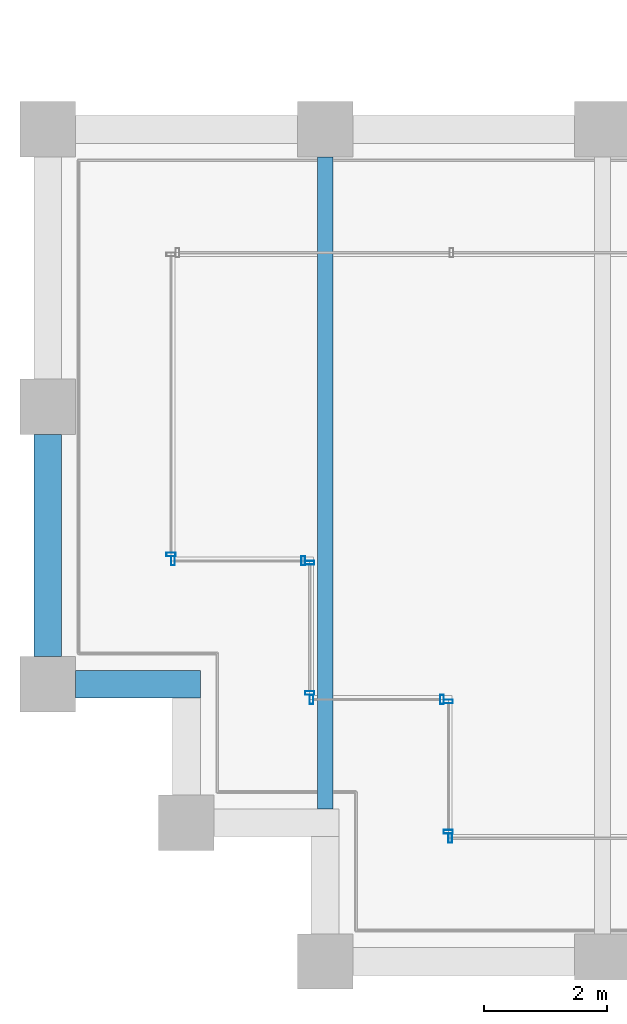
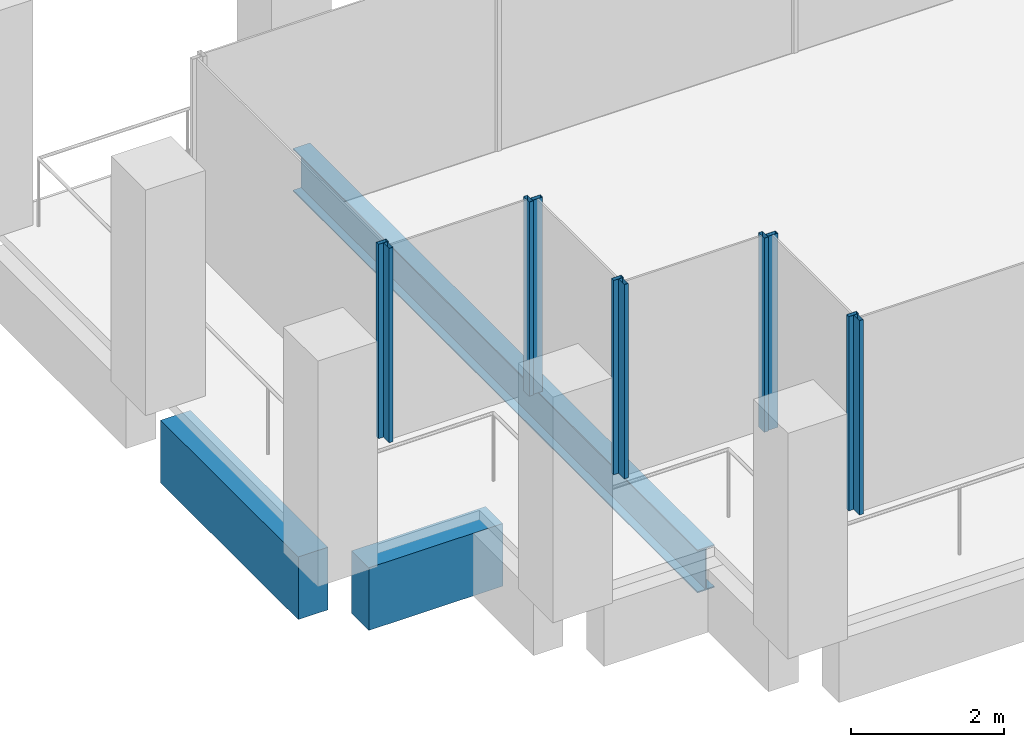
# One storey, part 2 of 40: 10 members, 3 beams, 6 elements without a shape of their own.
"""IFC4 building model written with IfcOpenShell, lengths in metres."""

from ifc_helpers import new_model, si_unit, direction, frame, origin, origin_2d, place, context, subcontext, project, spatial, rectangle, hollow_rectangle, i_section, extrude, material, material_profile, profile_set, type_object, element, aggregate, save


model = new_model("IFC4")

# Units and contexts
model_context = context("Model", 3, precision=1e-05, world=origin(), true_north=direction((0.0, 1.0)))
body_context = subcontext(model_context, "Body", "Model", "MODEL_VIEW")
ifc_project = project(units=[si_unit("LENGTHUNIT", "METRE"), si_unit("AREAUNIT", "SQUARE_METRE"), si_unit("VOLUMEUNIT", "CUBIC_METRE"), si_unit("PLANEANGLEUNIT", "RADIAN"), si_unit("MASSUNIT", "GRAM", prefix="KILO")], contexts=[model_context])

# Site, building, storey
site_placement = place(None, origin())
site = spatial("IfcSite", under=ifc_project, at=site_placement, CompositionType="ELEMENT")
building_placement = place(site_placement, origin())
building = spatial("IfcBuilding", under=site, at=building_placement, Name="Altepetl Exchange Towers", CompositionType="ELEMENT")
storey_placement = place(building_placement, frame((0.0, 0.0, 172.60009765625)))
storey = spatial("IfcBuildingStorey", under=building, at=storey_placement, Name="L43", CompositionType="ELEMENT", Elevation=172.60009765625)

# Beam
ifc_material_1 = material(Name="Steel S355", Category="steel")
ifc_material_profile_1 = material_profile(ifc_material_1, i_section(OverallWidth=0.25390625, OverallDepth=0.68408203125, WebThickness=0.012451171875, FlangeThickness=0.018798828125, at=origin_2d()), Name="W27X94")
ifc_profile_set_1 = profile_set([ifc_material_profile_1], Name="Steel S355")
beam_type_1 = type_object("IfcBeamType", Name="Floor beam W27X94", PredefinedType="BEAM", material=ifc_profile_set_1)
beam_1_placement = place(storey_placement, frame((31.5, 29.47509765625, -0.4921875), z_axis=(0.0, 1.0, 0.0), x_axis=(-1.0, 0.0, 0.0)))
element("IfcBeam", 1, at=beam_1_placement, inside=storey, type_object=beam_type_1, Name="bm:A:L43:012", PredefinedType="BEAM", context=body_context, shape_type="SweptSolid", body=[
    extrude(i_section(OverallWidth=0.25390625, OverallDepth=0.68408203125, WebThickness=0.012451171875, FlangeThickness=0.018798828125, at=origin_2d()), origin(), (0.0, 0.0, 1.0), 10.574951171875),
])

# Curtain wall, member
ifc_material_2 = material(Name="Aluminium 6063-T6 glazing", Category="aluminium")
curtain_wall_type = type_object("IfcCurtainWallType", Name="Loggia glazing system", PredefinedType="NOTDEFINED", material=ifc_material_2)
curtain_wall_1_placement = place(storey_placement, origin())
curtain_wall_1 = element("IfcCurtainWall", 2, at=curtain_wall_1_placement, inside=storey, type_object=curtain_wall_type, Name="CW1 run", PredefinedType="NOTDEFINED")
ifc_material_3 = material(Name="Aluminium 6063-T6", Category="aluminium")
ifc_material_profile_2 = material_profile(ifc_material_3, hollow_rectangle(XDim=0.06005859375, YDim=0.14990234375, WallThickness=0.0029296875, at=origin_2d()), Name="Mullion 60x150 aluminium")
ifc_profile_set_2 = profile_set([ifc_material_profile_2], Name="Aluminium 6063-T6")
member_type = type_object("IfcMemberType", Name="Mullion 60x150 aluminium", PredefinedType="MULLION", material=ifc_profile_set_2)
member_1_placement = place(storey_placement, frame((29.0, 33.60498046875, 0.0), z_axis=(0.0, 0.0, 1.0), x_axis=(0.0, -1.0, 0.0)))
member_1 = element("IfcMember", 3, at=member_1_placement, type_object=member_type, Name="MU1 mullion", PredefinedType="MULLION", context=body_context, shape_type="SweptSolid", body=[
    extrude(hollow_rectangle(XDim=0.06005859375, YDim=0.14990234375, WallThickness=0.0029296875, at=origin_2d()), origin(), (0.0, 0.0, 1.0), 3.099853515625),
])
aggregate(curtain_wall_1, [member_1])

# Curtain wall, members
curtain_wall_2_placement = place(storey_placement, origin())
curtain_wall_2 = element("IfcCurtainWall", 4, at=curtain_wall_2_placement, inside=storey, type_object=curtain_wall_type, Name="CW1 run", PredefinedType="NOTDEFINED")
member_2_placement = place(storey_placement, frame((29.030029296875, 33.5, 0.0)))
member_2 = element("IfcMember", 5, at=member_2_placement, type_object=member_type, Name="MU1 mullion", PredefinedType="MULLION", context=body_context, shape_type="SweptSolid", body=[
    extrude(hollow_rectangle(XDim=0.06005859375, YDim=0.14990234375, WallThickness=0.0029296875, at=origin_2d()), origin(), (0.0, 0.0, 1.0), 3.099853515625),
])
member_3_placement = place(storey_placement, frame((31.14501953125, 33.5, 0.0)))
member_3 = element("IfcMember", 6, at=member_3_placement, type_object=member_type, Name="MU1 mullion", PredefinedType="MULLION", context=body_context, shape_type="SweptSolid", body=[
    extrude(hollow_rectangle(XDim=0.06005859375, YDim=0.14990234375, WallThickness=0.0029296875, at=origin_2d()), origin(), (0.0, 0.0, 1.0), 3.099853515625),
])
aggregate(curtain_wall_2, [member_2, member_3])

curtain_wall_3_placement = place(storey_placement, origin())
curtain_wall_3 = element("IfcCurtainWall", 7, at=curtain_wall_3_placement, inside=storey, type_object=curtain_wall_type, Name="CW1 run", PredefinedType="NOTDEFINED")
member_4_placement = place(storey_placement, frame((31.25, 33.469970703125, 0.0), z_axis=(0.0, 0.0, 1.0), x_axis=(0.0, -1.0, 0.0)))
member_4 = element("IfcMember", 8, at=member_4_placement, type_object=member_type, Name="MU1 mullion", PredefinedType="MULLION", context=body_context, shape_type="SweptSolid", body=[
    extrude(hollow_rectangle(XDim=0.06005859375, YDim=0.14990234375, WallThickness=0.0029296875, at=origin_2d()), origin(), (0.0, 0.0, 1.0), 3.099853515625),
])
member_5_placement = place(storey_placement, frame((31.25, 31.35498046875, 0.0), z_axis=(0.0, 0.0, 1.0), x_axis=(0.0, -1.0, 0.0)))
member_5 = element("IfcMember", 9, at=member_5_placement, type_object=member_type, Name="MU1 mullion", PredefinedType="MULLION", context=body_context, shape_type="SweptSolid", body=[
    extrude(hollow_rectangle(XDim=0.06005859375, YDim=0.14990234375, WallThickness=0.0029296875, at=origin_2d()), origin(), (0.0, 0.0, 1.0), 3.099853515625),
])
aggregate(curtain_wall_3, [member_4, member_5])

curtain_wall_4_placement = place(storey_placement, origin())
curtain_wall_4 = element("IfcCurtainWall", 10, at=curtain_wall_4_placement, inside=storey, type_object=curtain_wall_type, Name="CW1 run", PredefinedType="NOTDEFINED")
member_6_placement = place(storey_placement, frame((31.280029296875, 31.25, 0.0)))
member_6 = element("IfcMember", 11, at=member_6_placement, type_object=member_type, Name="MU1 mullion", PredefinedType="MULLION", context=body_context, shape_type="SweptSolid", body=[
    extrude(hollow_rectangle(XDim=0.06005859375, YDim=0.14990234375, WallThickness=0.0029296875, at=origin_2d()), origin(), (0.0, 0.0, 1.0), 3.099853515625),
])
member_7_placement = place(storey_placement, frame((33.39501953125, 31.25, 0.0)))
member_7 = element("IfcMember", 12, at=member_7_placement, type_object=member_type, Name="MU1 mullion", PredefinedType="MULLION", context=body_context, shape_type="SweptSolid", body=[
    extrude(hollow_rectangle(XDim=0.06005859375, YDim=0.14990234375, WallThickness=0.0029296875, at=origin_2d()), origin(), (0.0, 0.0, 1.0), 3.099853515625),
])
aggregate(curtain_wall_4, [member_6, member_7])

curtain_wall_5_placement = place(storey_placement, origin())
curtain_wall_5 = element("IfcCurtainWall", 13, at=curtain_wall_5_placement, inside=storey, type_object=curtain_wall_type, Name="CW1 run", PredefinedType="NOTDEFINED")
member_8_placement = place(storey_placement, frame((33.5, 31.219970703125, 0.0), z_axis=(0.0, 0.0, 1.0), x_axis=(0.0, -1.0, 0.0)))
member_8 = element("IfcMember", 14, at=member_8_placement, type_object=member_type, Name="MU1 mullion", PredefinedType="MULLION", context=body_context, shape_type="SweptSolid", body=[
    extrude(hollow_rectangle(XDim=0.06005859375, YDim=0.14990234375, WallThickness=0.0029296875, at=origin_2d()), origin(), (0.0, 0.0, 1.0), 3.099853515625),
])
member_9_placement = place(storey_placement, frame((33.5, 29.10498046875, 0.0), z_axis=(0.0, 0.0, 1.0), x_axis=(0.0, -1.0, 0.0)))
member_9 = element("IfcMember", 15, at=member_9_placement, type_object=member_type, Name="MU1 mullion", PredefinedType="MULLION", context=body_context, shape_type="SweptSolid", body=[
    extrude(hollow_rectangle(XDim=0.06005859375, YDim=0.14990234375, WallThickness=0.0029296875, at=origin_2d()), origin(), (0.0, 0.0, 1.0), 3.099853515625),
])
aggregate(curtain_wall_5, [member_8, member_9])

# Curtain wall, member
curtain_wall_6_placement = place(storey_placement, origin())
curtain_wall_6 = element("IfcCurtainWall", 16, at=curtain_wall_6_placement, inside=storey, type_object=curtain_wall_type, Name="CW1 run", PredefinedType="NOTDEFINED")
member_10_placement = place(storey_placement, frame((33.530029296875, 29.0, 0.0)))
member_10 = element("IfcMember", 17, at=member_10_placement, type_object=member_type, Name="MU1 mullion", PredefinedType="MULLION", context=body_context, shape_type="SweptSolid", body=[
    extrude(hollow_rectangle(XDim=0.06005859375, YDim=0.14990234375, WallThickness=0.0029296875, at=origin_2d()), origin(), (0.0, 0.0, 1.0), 3.099853515625),
])
aggregate(curtain_wall_6, [member_10])

# Beams
ifc_material_4 = material(Name="Concrete C50/60 precast with cantera blanca facing", Category="concrete")
ifc_material_profile_3 = material_profile(ifc_material_4, rectangle(XDim=0.449951171875, YDim=1.0, at=origin_2d()), Name="450 x 1000")
ifc_profile_set_3 = profile_set([ifc_material_profile_3], Name="Concrete C50/60 precast with cantera blanca facing")
beam_type_2 = type_object("IfcBeamType", Name="Spandrel beam 450x1000 cantera blanca", PredefinedType="SPANDREL", material=ifc_profile_set_3)
beam_2_placement = place(storey_placement, frame((27.0, 35.550048828125, -0.650146484375), z_axis=(0.0, -1.0, 0.0), x_axis=(1.0, 0.0, 0.0)))
element("IfcBeam", 18, at=beam_2_placement, inside=storey, type_object=beam_type_2, Name="sp:A:L43:037", PredefinedType="SPANDREL", context=body_context, shape_type="SweptSolid", body=[
    extrude(rectangle(XDim=0.449951171875, YDim=1.0, at=origin_2d()), origin(), (0.0, 0.0, 1.0), 3.60009765625),
])
beam_3_placement = place(storey_placement, frame((27.449951171875, 31.5, -0.650146484375), z_axis=(1.0, 0.0, 0.0), x_axis=(0.0, 1.0, 0.0)))
element("IfcBeam", 19, at=beam_3_placement, inside=storey, type_object=beam_type_2, Name="sp:A:L43:038", PredefinedType="SPANDREL", context=body_context, shape_type="SweptSolid", body=[
    extrude(rectangle(XDim=0.449951171875, YDim=1.0, at=origin_2d()), origin(), (0.0, 0.0, 1.0), 2.025146484375),
])

save(model, "model.ifc")
